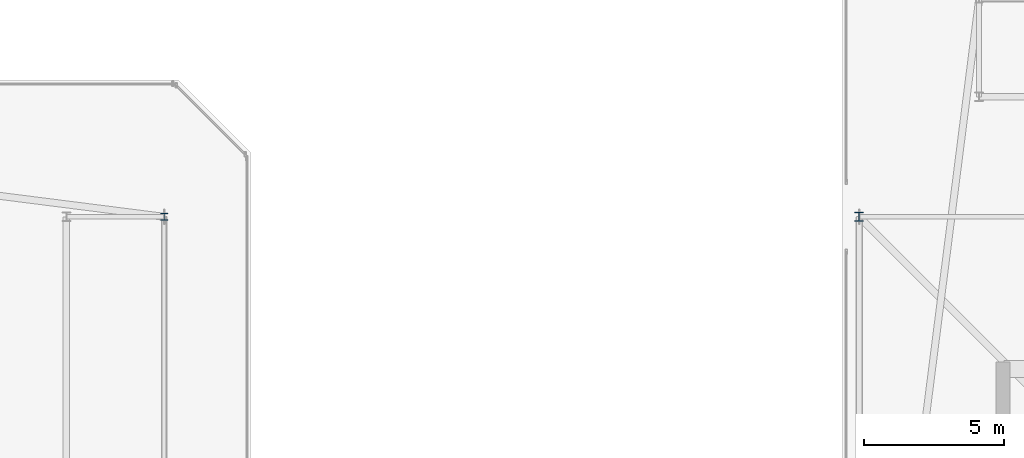
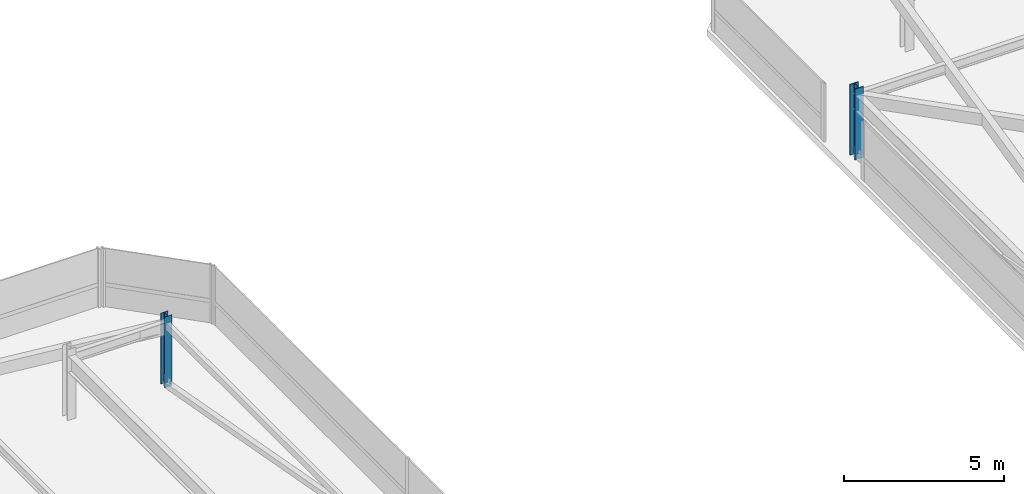
# One storey, part 5 of 44: 2 columns.
"""IFC4 building model written with IfcOpenShell, lengths in metres."""

import ifcopenshell
import ifcopenshell.guid

model = None  # the IFC model being written
_history = None  # IfcOwnerHistory: only IFC2X3 demands one
_inside = {}  # id of a spatial element -> (the spatial element, [elements in it])
_under = {}  # id of a project, library or spatial element -> (it, [spatial elements below it])
_declared = {}  # id of a project -> (the project, [libraries it declares])
_typed = {}  # id of a type object -> (the type object, [elements of that type])
_made_of = {}  # id of a material, layer set ... -> (it, [elements and type objects made of it])


def new_model(schema):
    """Start an empty IFC model of exactly this schema.

    Asked for "IFC4X3", IfcOpenShell would pick the latest addendum, in which some entities
    have other attributes; the version numbers below select the first issue.
    IFC2X3 requires an IfcOwnerHistory on every rooted entity: one is made here for all.
    """
    global model, _history
    if schema == "IFC4X3":
        model = ifcopenshell.file(schema_version=(4, 3, 0, 0))
    else:
        model = ifcopenshell.file(schema=schema)
    _inside.clear()
    _under.clear()
    _declared.clear()
    _typed.clear()
    _made_of.clear()
    _history = None
    if model.schema == "IFC2X3":
        org = make("IfcOrganization", Name="unknown")
        user = make(
            "IfcPersonAndOrganization",
            ThePerson=make("IfcPerson", FamilyName="unknown"),
            TheOrganization=org,
        )
        app = make(
            "IfcApplication",
            ApplicationDeveloper=org,
            Version="unknown",
            ApplicationFullName="unknown",
            ApplicationIdentifier="unknown",
        )
        _history = make(
            "IfcOwnerHistory",
            OwningUser=user,
            OwningApplication=app,
            ChangeAction="ADDED",
            CreationDate=0,
        )
    return model


def make(cls, **values):
    """One entity of the class cls with the attributes given. An attribute that is None is left unset."""
    return model.create_entity(
        cls, **{name: value for name, value in values.items() if value is not None}
    )


def rooted(cls, **values):
    """An entity with a GlobalId (a new one), such as an element, a storey or a relation."""
    return make(cls, GlobalId=ifcopenshell.guid.new(), OwnerHistory=_history, **values)


def si_unit(unit_type, name, prefix=None):
    """IfcSIUnit, for example si_unit("LENGTHUNIT", "METRE", prefix="MILLI")."""
    return make("IfcSIUnit", UnitType=unit_type, Prefix=prefix, Name=name)


def assignment(units):
    """IfcUnitAssignment: the units of a project."""
    return None if units is None else make("IfcUnitAssignment", Units=units)


def point(xyz):
    """IfcCartesianPoint."""
    return None if xyz is None else make("IfcCartesianPoint", Coordinates=xyz)


def direction(xyz):
    """IfcDirection."""
    return None if xyz is None else make("IfcDirection", DirectionRatios=xyz)


def frame(location, z_axis=None, x_axis=None):
    """IfcAxis2Placement3D, a coordinate frame: its origin and axes. An axis left out is left unset."""
    return make(
        "IfcAxis2Placement3D",
        Location=point(location),
        Axis=direction(z_axis),
        RefDirection=direction(x_axis),
    )


def frame_2d(location, x_axis=None):
    """IfcAxis2Placement2D, a coordinate frame in the plane: its origin and x axis."""
    return make(
        "IfcAxis2Placement2D", Location=point(location), RefDirection=direction(x_axis)
    )


def origin():
    """The frame at (0, 0, 0) with its axes left unset."""
    return frame((0.0, 0.0, 0.0))


def origin_2d():
    """The frame at (0, 0) in the plane with its x axis left unset."""
    return frame_2d((0.0, 0.0))


def place(relative_to, where):
    """IfcLocalPlacement: puts the frame where relative to a parent placement (None: the world)."""
    return make(
        "IfcLocalPlacement", PlacementRelTo=relative_to, RelativePlacement=where
    )


def context(
    kind, dimensions, precision=None, world=None, true_north=None, identifier=None
):
    """IfcGeometricRepresentationContext, for example the 3D "Model" context."""
    return make(
        "IfcGeometricRepresentationContext",
        ContextIdentifier=identifier,
        ContextType=kind,
        CoordinateSpaceDimension=dimensions,
        Precision=precision,
        WorldCoordinateSystem=world,
        TrueNorth=true_north,
    )


def subcontext(parent, identifier, kind, view, scale=None):
    """IfcGeometricRepresentationSubContext, for example "Body" below "Model"."""
    return make(
        "IfcGeometricRepresentationSubContext",
        ContextIdentifier=identifier,
        ContextType=kind,
        ParentContext=parent,
        TargetScale=scale,
        TargetView=view,
    )


def project(units=None, contexts=None):
    """IfcProject with its units and contexts."""
    return rooted(
        "IfcProject",
        Name="project",
        RepresentationContexts=contexts,
        UnitsInContext=assignment(units),
    )


def spatial(cls, under=None, at=None, **own):
    """A site, building, storey or space (cls), placed at a placement, below another one or the project."""
    s = rooted(cls, ObjectPlacement=at, **own)
    if under is not None:
        _under.setdefault(under.id(), (under, []))[1].append(s)
    return s


def profile(cls, at=None, kind="AREA", **sizes):
    """A parametric profile (cls). Its sizes go by their IFC names, for example OverallWidth=200.0."""
    return make(cls, ProfileType=kind, Position=at, **sizes)


def i_section(**sizes):
    """IfcIShapeProfileDef."""
    return profile("IfcIShapeProfileDef", **sizes)


def extrude(swept, where, along, depth):
    """IfcExtrudedAreaSolid: the profile swept, set in the frame where, extruded along a direction by depth."""
    return make(
        "IfcExtrudedAreaSolid",
        SweptArea=swept,
        Position=where,
        ExtrudedDirection=direction(along),
        Depth=depth,
    )


def shape(context_of_items, identifier, shape_type, items):
    """IfcShapeRepresentation: the items that make up one representation, for example the "Body"."""
    return make(
        "IfcShapeRepresentation",
        ContextOfItems=context_of_items,
        RepresentationIdentifier=identifier,
        RepresentationType=shape_type,
        Items=items,
    )


def material(Name=None, Category=None):
    """IfcMaterial."""
    return make("IfcMaterial", Name=Name, Category=Category)


def material_profile(
    of_material, cross_section, Name=None, Category=None, Priority=None
):
    """IfcMaterialProfile: a cross section and its material."""
    return make(
        "IfcMaterialProfile",
        Name=Name,
        Material=of_material,
        Profile=cross_section,
        Priority=Priority,
        Category=Category,
    )


def profile_set(profiles, Name=None, composite=None):
    """IfcMaterialProfileSet."""
    return make(
        "IfcMaterialProfileSet",
        Name=Name,
        MaterialProfiles=profiles,
        CompositeProfile=composite,
    )


def made_of(thing, what):
    """Note that an element or type object is made of a material, layer set ...; save() writes the relation."""
    if what is not None:
        _made_of.setdefault(what.id(), (what, []))[1].append(thing)
    return thing


def type_object(cls, material=None, **own):
    """A type object (cls), such as IfcWallType, which elements share."""
    return made_of(rooted(cls, **own), material)


def element(
    cls,
    number,
    at=None,
    inside=None,
    cuts=None,
    type_object=None,
    material=None,
    context=None,
    identifier="Body",
    shape_type=None,
    held_by="IfcProductDefinitionShape",
    body=None,
    shapes=None,
    **own,
):
    """One element of the class cls, such as IfcWall. Its Tag is "e" and its number.

    at: its placement. inside: the storey or other place that contains it. cuts: it is an
    opening in that element (IfcRelVoidsElement). A single representation is given by context,
    identifier, shape_type and body (its items); several are given by shapes. held_by: the class
    of the entity that holds the representations. save() writes the other relations.
    """
    e = rooted(cls, Tag="e%d" % number, ObjectPlacement=at, **own)
    if body is not None:
        shapes = [shape(context, identifier, shape_type, body)]
    if shapes is not None:
        e.Representation = make(held_by, Representations=shapes)
    if inside is not None:
        _inside.setdefault(inside.id(), (inside, []))[1].append(e)
    if cuts is not None:
        rooted(
            "IfcRelVoidsElement", RelatingBuildingElement=cuts, RelatedOpeningElement=e
        )
    if type_object is not None:
        _typed.setdefault(type_object.id(), (type_object, []))[1].append(e)
    return made_of(e, material)


def aggregate(whole, parts):
    """IfcRelAggregates: a whole, such as a stair, and the parts it consists of."""
    return rooted("IfcRelAggregates", RelatingObject=whole, RelatedObjects=parts)


def save(model, path):
    """Write the relations noted so far, then the file.

    IfcRelAggregates (storeys below a building ...), IfcRelContainedInSpatialStructure (elements
    in a storey), IfcRelDefinesByType, IfcRelAssociatesMaterial and IfcRelDeclares: one each for
    every whole, place, type object, material and project.
    """
    for whole, parts in _under.values():
        aggregate(whole, parts)
    for where, things in _inside.values():
        rooted(
            "IfcRelContainedInSpatialStructure",
            RelatedElements=things,
            RelatingStructure=where,
        )
    for kind, things in _typed.values():
        rooted("IfcRelDefinesByType", RelatedObjects=things, RelatingType=kind)
    for what, things in _made_of.values():
        rooted("IfcRelAssociatesMaterial", RelatedObjects=things, RelatingMaterial=what)
    for by, libraries in _declared.values():
        rooted("IfcRelDeclares", RelatingContext=by, RelatedDefinitions=libraries)
    model.write(path)


model = new_model("IFC4")

# Units and contexts
model_context = context("Model", 3, precision=1e-05, world=origin(), true_north=direction((0.0, 1.0)))
body_context = subcontext(model_context, "Body", "Model", "MODEL_VIEW")
ifc_project = project(units=[si_unit("LENGTHUNIT", "METRE"), si_unit("AREAUNIT", "SQUARE_METRE"), si_unit("VOLUMEUNIT", "CUBIC_METRE"), si_unit("PLANEANGLEUNIT", "RADIAN"), si_unit("MASSUNIT", "GRAM", prefix="KILO")], contexts=[model_context])

# Site, building, storey
site_placement = place(None, origin())
site = spatial("IfcSite", under=ifc_project, at=site_placement, CompositionType="ELEMENT")
building_placement = place(site_placement, origin())
building = spatial("IfcBuilding", under=site, at=building_placement, Name="Thornwick Lancets Civic Towers", CompositionType="ELEMENT")
storey_placement = place(building_placement, frame((0.0, 0.0, 292.199951171875)))
storey = spatial("IfcBuildingStorey", under=building, at=storey_placement, Name="C05", CompositionType="ELEMENT", Elevation=292.199951171875)

# Columns
ifc_material = material(Name="Steel S355JR", Category="steel")
ifc_material_profile_1 = material_profile(ifc_material, i_section(OverallWidth=0.30908203125, OverallDepth=0.320556640625, WebThickness=0.013916015625, FlangeThickness=0.021728515625, FilletRadius=0.01513671875, at=origin_2d()), Name="UKC 305x305x137")
ifc_profile_set_1 = profile_set([ifc_material_profile_1], Name="Steel S355JR")
column_type_1 = type_object("IfcColumnType", Name="COL_UKC_137", PredefinedType="COLUMN", material=ifc_profile_set_1)
column_1_placement = place(storey_placement, frame((71.199951171875, 40.0, 0.0), z_axis=(0.0, 0.0, 1.0), x_axis=(1.0, 0.0, 0.0)))
element("IfcColumn", 1, at=column_1_placement, inside=storey, type_object=column_type_1, Name="C05 Spine Mega-Column B09", PredefinedType="COLUMN", context=body_context, shape_type="SweptSolid", body=[
    extrude(i_section(OverallWidth=0.30908203125, OverallDepth=0.320556640625, WebThickness=0.013916015625, FlangeThickness=0.021728515625, FilletRadius=0.01513671875, at=origin_2d()), origin(), (0.0, 0.0, 1.0), 2.699951171875),
])
ifc_material_profile_2 = material_profile(ifc_material, i_section(OverallWidth=0.25634765625, OverallDepth=0.26025390625, WebThickness=0.01025390625, FlangeThickness=0.017333984375, FilletRadius=0.0126953125, at=origin_2d()), Name="UKC 254x254x89")
ifc_profile_set_2 = profile_set([ifc_material_profile_2], Name="Steel S355JR")
column_type_2 = type_object("IfcColumnType", Name="COL_UKC_89", PredefinedType="COLUMN", material=ifc_profile_set_2)
column_2_placement = place(storey_placement, frame((46.300048828125, 40.0, 0.0), z_axis=(0.0, 0.0, 1.0), x_axis=(1.0, 0.0, 0.0)))
element("IfcColumn", 2, at=column_2_placement, inside=storey, type_object=column_type_2, Name="C05 Block Perimeter Column A06", PredefinedType="COLUMN", context=body_context, shape_type="SweptSolid", body=[
    extrude(i_section(OverallWidth=0.25634765625, OverallDepth=0.26025390625, WebThickness=0.01025390625, FlangeThickness=0.017333984375, FilletRadius=0.0126953125, at=origin_2d()), origin(), (0.0, 0.0, 1.0), 2.699951171875),
])

save(model, "model.ifc")
